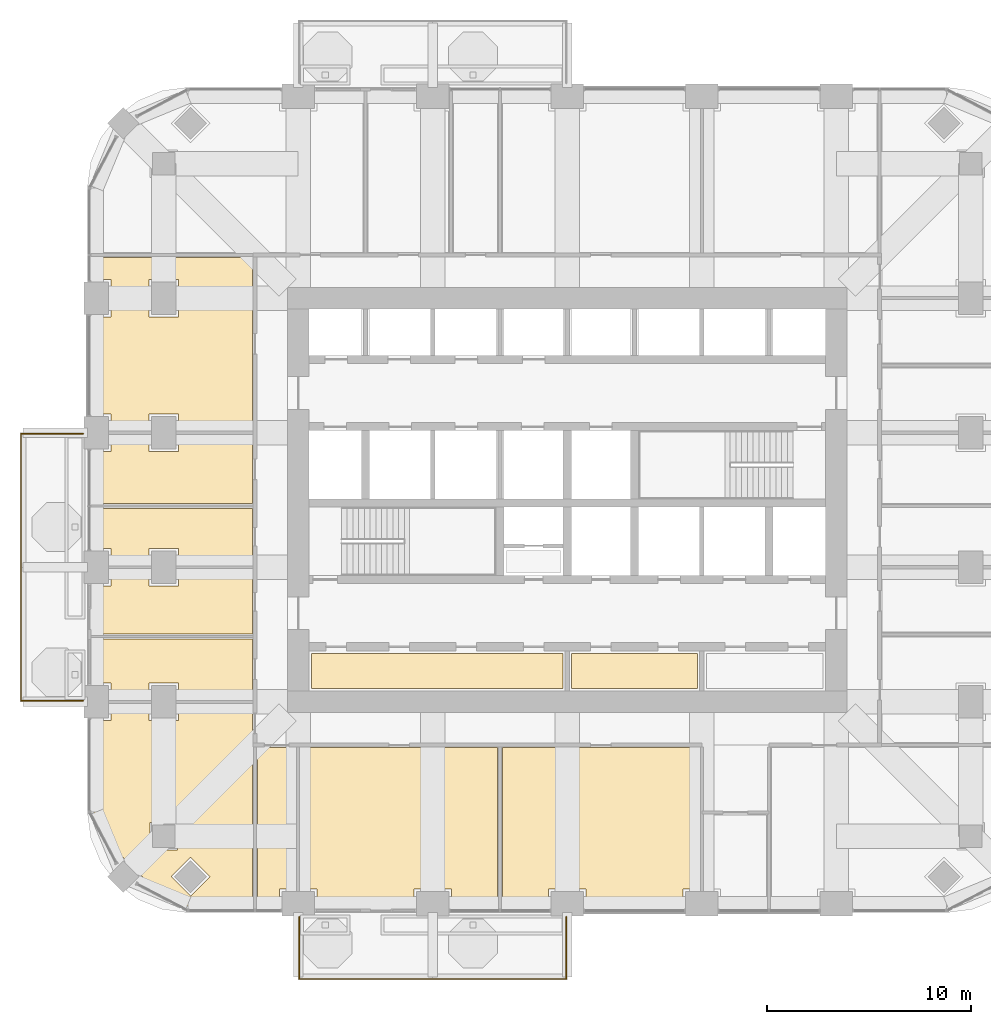
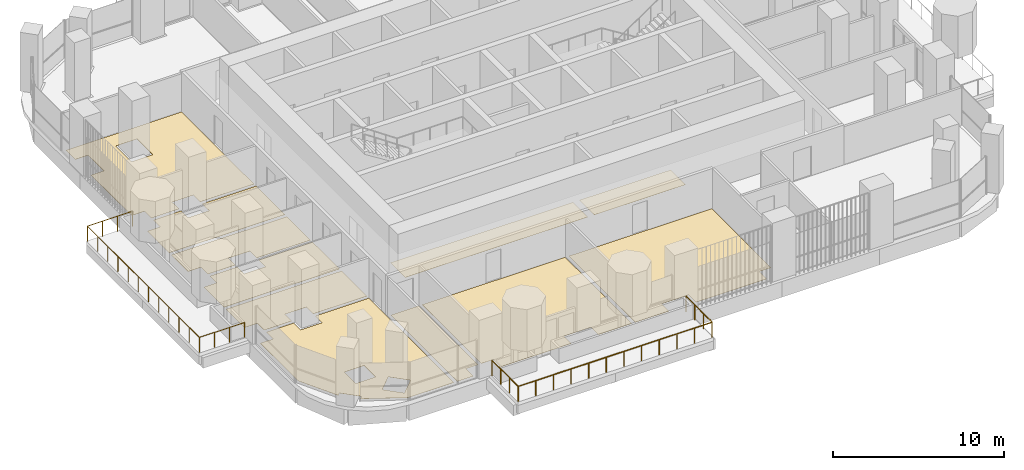
# One storey, part 16 of 20: 11 coverings, 2 railings.
"""IFC4 building model written with IfcOpenShell, lengths in metres."""

from ifc_helpers import new_model, si_unit, direction, frame, origin, place, context, subcontext, project, spatial, polyline, outline, extrude, material, layer, layer_set, type_object, element, save


model = new_model("IFC4")

# Units and contexts
model_context = context("Model", 3, precision=1e-05, world=origin(), true_north=direction((0.0, 1.0)))
body_context = subcontext(model_context, "Body", "Model", "MODEL_VIEW")
ifc_project = project(units=[si_unit("LENGTHUNIT", "METRE"), si_unit("AREAUNIT", "SQUARE_METRE"), si_unit("VOLUMEUNIT", "CUBIC_METRE"), si_unit("PLANEANGLEUNIT", "RADIAN"), si_unit("MASSUNIT", "GRAM", prefix="KILO")], contexts=[model_context])

# Site, building, storey
site_placement = place(None, origin())
site = spatial("IfcSite", under=ifc_project, at=site_placement, CompositionType="ELEMENT")
building_placement = place(site_placement, origin())
building = spatial("IfcBuilding", under=site, at=building_placement, Name="Cobogo Forest Laboratory Tower", CompositionType="ELEMENT")
storey_placement = place(building_placement, frame((0.0, 0.0, 176.699951171875)))
storey = spatial("IfcBuildingStorey", under=building, at=storey_placement, Name="L40", CompositionType="ELEMENT", Elevation=176.699951171875)

# Railings
ifc_material_1 = material(Name="Laminated glass balustrade", Category="glass")
railing_type = type_object("IfcRailingType", Name="BG1 glass balustrade 1100", PredefinedType="GUARDRAIL", material=ifc_material_1)
railing_1_placement = place(storey_placement, frame((13.25, 2.64990234375, 0.0)))
element("IfcRailing", 1, at=railing_1_placement, inside=storey, type_object=railing_type, Name="Balcony balustrade BAL-S1 L40", PredefinedType="GUARDRAIL", context=body_context, shape_type="SweptSolid", body=[
    extrude(outline(polyline([(0.022216796875, 0.00927734375), (0.00927734375, 0.022216796875), (-0.00927734375, 0.022216796875), (-0.022216796875, 0.00927734375), (-0.022216796875, -0.00927734375), (-0.00927734375, -0.022216796875), (0.00927734375, -0.022216796875), (0.022216796875, -0.00927734375), (0.022216796875, 0.00927734375)])), frame((0.0, 0.0, 1.077880859375), z_axis=(0.0, -1.0, 0.0), x_axis=(1.0, 0.0, 0.0)), (0.0, 0.0, 1.0), 3.0498046875),
    extrude(outline(polyline([(0.022216796875, 0.00927734375), (0.00927734375, 0.022216796875), (-0.00927734375, 0.022216796875), (-0.022216796875, 0.00927734375), (-0.022216796875, -0.00927734375), (-0.00927734375, -0.022216796875), (0.00927734375, -0.022216796875), (0.022216796875, -0.00927734375), (0.022216796875, 0.00927734375)])), frame((0.0, -3.0498046875, 1.077880859375), z_axis=(1.0, 0.0, 0.0), x_axis=(0.0, 1.0, 0.0)), (0.0, 0.0, 1.0), 13.10009765625),
    extrude(outline(polyline([(0.022216796875, 0.00927734375), (0.00927734375, 0.022216796875), (-0.00927734375, 0.022216796875), (-0.022216796875, 0.00927734375), (-0.022216796875, -0.00927734375), (-0.00927734375, -0.022216796875), (0.00927734375, -0.022216796875), (0.022216796875, -0.00927734375), (0.022216796875, 0.00927734375)])), frame((13.10009765625, -3.0498046875, 1.077880859375), z_axis=(0.0, 1.0, 0.0), x_axis=(-1.0, 0.0, 0.0)), (0.0, 0.0, 1.0), 3.0498046875),
    extrude(outline(polyline([(0.019287109375, 0.008056640625), (0.008056640625, 0.019287109375), (-0.008056640625, 0.019287109375), (-0.019287109375, 0.008056640625), (-0.019287109375, -0.008056640625), (-0.008056640625, -0.019287109375), (0.008056640625, -0.019287109375), (0.019287109375, -0.008056640625), (0.019287109375, 0.008056640625)])), origin(), (0.0, 0.0, 1.0), 1.077880859375),
    extrude(outline(polyline([(0.019287109375, 0.008056640625), (0.008056640625, 0.019287109375), (-0.008056640625, 0.019287109375), (-0.019287109375, 0.008056640625), (-0.019287109375, -0.008056640625), (-0.008056640625, -0.019287109375), (0.008056640625, -0.019287109375), (0.019287109375, -0.008056640625), (0.019287109375, 0.008056640625)])), frame((0.0, -1.0166015625, 0.0)), (0.0, 0.0, 1.0), 1.077880859375),
    extrude(outline(polyline([(0.019287109375, 0.008056640625), (0.008056640625, 0.019287109375), (-0.008056640625, 0.019287109375), (-0.019287109375, 0.008056640625), (-0.019287109375, -0.008056640625), (-0.008056640625, -0.019287109375), (0.008056640625, -0.019287109375), (0.019287109375, -0.008056640625), (0.019287109375, 0.008056640625)])), frame((0.0, -2.033203125, 0.0)), (0.0, 0.0, 1.0), 1.077880859375),
    extrude(outline(polyline([(0.019287109375, 0.008056640625), (0.008056640625, 0.019287109375), (-0.008056640625, 0.019287109375), (-0.019287109375, 0.008056640625), (-0.019287109375, -0.008056640625), (-0.008056640625, -0.019287109375), (0.008056640625, -0.019287109375), (0.019287109375, -0.008056640625), (0.019287109375, 0.008056640625)])), frame((0.0, -3.0498046875, 0.0)), (0.0, 0.0, 1.0), 1.077880859375),
    extrude(outline(polyline([(0.019287109375, 0.008056640625), (0.008056640625, 0.019287109375), (-0.008056640625, 0.019287109375), (-0.019287109375, 0.008056640625), (-0.019287109375, -0.008056640625), (-0.008056640625, -0.019287109375), (0.008056640625, -0.019287109375), (0.019287109375, -0.008056640625), (0.019287109375, 0.008056640625)])), frame((1.19091796875, -3.0498046875, 0.0)), (0.0, 0.0, 1.0), 1.077880859375),
    extrude(outline(polyline([(0.019287109375, 0.008056640625), (0.008056640625, 0.019287109375), (-0.008056640625, 0.019287109375), (-0.019287109375, 0.008056640625), (-0.019287109375, -0.008056640625), (-0.008056640625, -0.019287109375), (0.008056640625, -0.019287109375), (0.019287109375, -0.008056640625), (0.019287109375, 0.008056640625)])), frame((2.3818359375, -3.0498046875, 0.0)), (0.0, 0.0, 1.0), 1.077880859375),
    extrude(outline(polyline([(0.019287109375, 0.008056640625), (0.008056640625, 0.019287109375), (-0.008056640625, 0.019287109375), (-0.019287109375, 0.008056640625), (-0.019287109375, -0.008056640625), (-0.008056640625, -0.019287109375), (0.008056640625, -0.019287109375), (0.019287109375, -0.008056640625), (0.019287109375, 0.008056640625)])), frame((3.57275390625, -3.0498046875, 0.0)), (0.0, 0.0, 1.0), 1.077880859375),
    extrude(outline(polyline([(0.019287109375, 0.008056640625), (0.008056640625, 0.019287109375), (-0.008056640625, 0.019287109375), (-0.019287109375, 0.008056640625), (-0.019287109375, -0.008056640625), (-0.008056640625, -0.019287109375), (0.008056640625, -0.019287109375), (0.019287109375, -0.008056640625), (0.019287109375, 0.008056640625)])), frame((4.763671875, -3.0498046875, 0.0)), (0.0, 0.0, 1.0), 1.077880859375),
    extrude(outline(polyline([(0.019287109375, 0.008056640625), (0.008056640625, 0.019287109375), (-0.008056640625, 0.019287109375), (-0.019287109375, 0.008056640625), (-0.019287109375, -0.008056640625), (-0.008056640625, -0.019287109375), (0.008056640625, -0.019287109375), (0.019287109375, -0.008056640625), (0.019287109375, 0.008056640625)])), frame((5.95458984375, -3.0498046875, 0.0)), (0.0, 0.0, 1.0), 1.077880859375),
    extrude(outline(polyline([(0.019287109375, 0.008056640625), (0.008056640625, 0.019287109375), (-0.008056640625, 0.019287109375), (-0.019287109375, 0.008056640625), (-0.019287109375, -0.008056640625), (-0.008056640625, -0.019287109375), (0.008056640625, -0.019287109375), (0.019287109375, -0.008056640625), (0.019287109375, 0.008056640625)])), frame((7.1455078125, -3.0498046875, 0.0)), (0.0, 0.0, 1.0), 1.077880859375),
    extrude(outline(polyline([(0.019287109375, 0.008056640625), (0.008056640625, 0.019287109375), (-0.008056640625, 0.019287109375), (-0.019287109375, 0.008056640625), (-0.019287109375, -0.008056640625), (-0.008056640625, -0.019287109375), (0.008056640625, -0.019287109375), (0.019287109375, -0.008056640625), (0.019287109375, 0.008056640625)])), frame((8.33642578125, -3.0498046875, 0.0)), (0.0, 0.0, 1.0), 1.077880859375),
    extrude(outline(polyline([(0.019287109375, 0.008056640625), (0.008056640625, 0.019287109375), (-0.008056640625, 0.019287109375), (-0.019287109375, 0.008056640625), (-0.019287109375, -0.008056640625), (-0.008056640625, -0.019287109375), (0.008056640625, -0.019287109375), (0.019287109375, -0.008056640625), (0.019287109375, 0.008056640625)])), frame((9.52734375, -3.0498046875, 0.0)), (0.0, 0.0, 1.0), 1.077880859375),
    extrude(outline(polyline([(0.019287109375, 0.008056640625), (0.008056640625, 0.019287109375), (-0.008056640625, 0.019287109375), (-0.019287109375, 0.008056640625), (-0.019287109375, -0.008056640625), (-0.008056640625, -0.019287109375), (0.008056640625, -0.019287109375), (0.019287109375, -0.008056640625), (0.019287109375, 0.008056640625)])), frame((10.71826171875, -3.0498046875, 0.0)), (0.0, 0.0, 1.0), 1.077880859375),
    extrude(outline(polyline([(0.019287109375, 0.008056640625), (0.008056640625, 0.019287109375), (-0.008056640625, 0.019287109375), (-0.019287109375, 0.008056640625), (-0.019287109375, -0.008056640625), (-0.008056640625, -0.019287109375), (0.008056640625, -0.019287109375), (0.019287109375, -0.008056640625), (0.019287109375, 0.008056640625)])), frame((11.9091796875, -3.0498046875, 0.0)), (0.0, 0.0, 1.0), 1.077880859375),
    extrude(outline(polyline([(0.019287109375, 0.008056640625), (0.008056640625, 0.019287109375), (-0.008056640625, 0.019287109375), (-0.019287109375, 0.008056640625), (-0.019287109375, -0.008056640625), (-0.008056640625, -0.019287109375), (0.008056640625, -0.019287109375), (0.019287109375, -0.008056640625), (0.019287109375, 0.008056640625)])), frame((13.10009765625, -3.0498046875, 0.0)), (0.0, 0.0, 1.0), 1.077880859375),
    extrude(outline(polyline([(0.019287109375, 0.008056640625), (0.008056640625, 0.019287109375), (-0.008056640625, 0.019287109375), (-0.019287109375, 0.008056640625), (-0.019287109375, -0.008056640625), (-0.008056640625, -0.019287109375), (0.008056640625, -0.019287109375), (0.019287109375, -0.008056640625), (0.019287109375, 0.008056640625)])), frame((13.10009765625, -2.033203125, 0.0)), (0.0, 0.0, 1.0), 1.077880859375),
    extrude(outline(polyline([(0.019287109375, 0.008056640625), (0.008056640625, 0.019287109375), (-0.008056640625, 0.019287109375), (-0.019287109375, 0.008056640625), (-0.019287109375, -0.008056640625), (-0.008056640625, -0.019287109375), (0.008056640625, -0.019287109375), (0.019287109375, -0.008056640625), (0.019287109375, 0.008056640625)])), frame((13.10009765625, -1.0166015625, 0.0)), (0.0, 0.0, 1.0), 1.077880859375),
    extrude(outline(polyline([(0.019287109375, 0.008056640625), (0.008056640625, 0.019287109375), (-0.008056640625, 0.019287109375), (-0.019287109375, 0.008056640625), (-0.019287109375, -0.008056640625), (-0.008056640625, -0.019287109375), (0.008056640625, -0.019287109375), (0.019287109375, -0.008056640625), (0.019287109375, 0.008056640625)])), frame((13.10009765625, 0.0, 0.0)), (0.0, 0.0, 1.0), 1.077880859375),
])
railing_2_placement = place(storey_placement, frame((2.64990234375, 13.25, 0.0)))
element("IfcRailing", 2, at=railing_2_placement, inside=storey, type_object=railing_type, Name="Balcony balustrade BAL-W1 L40", PredefinedType="GUARDRAIL", context=body_context, shape_type="SweptSolid", body=[
    extrude(outline(polyline([(0.022216796875, 0.00927734375), (0.00927734375, 0.022216796875), (-0.00927734375, 0.022216796875), (-0.022216796875, 0.00927734375), (-0.022216796875, -0.00927734375), (-0.00927734375, -0.022216796875), (0.00927734375, -0.022216796875), (0.022216796875, -0.00927734375), (0.022216796875, 0.00927734375)])), frame((0.0, 0.0, 1.077880859375), z_axis=(-1.0, 0.0, 0.0), x_axis=(0.0, -1.0, 0.0)), (0.0, 0.0, 1.0), 3.0498046875),
    extrude(outline(polyline([(0.022216796875, 0.00927734375), (0.00927734375, 0.022216796875), (-0.00927734375, 0.022216796875), (-0.022216796875, 0.00927734375), (-0.022216796875, -0.00927734375), (-0.00927734375, -0.022216796875), (0.00927734375, -0.022216796875), (0.022216796875, -0.00927734375), (0.022216796875, 0.00927734375)])), frame((-3.0498046875, 0.0, 1.077880859375), z_axis=(0.0, 1.0, 0.0), x_axis=(-1.0, 0.0, 0.0)), (0.0, 0.0, 1.0), 13.10009765625),
    extrude(outline(polyline([(0.022216796875, 0.00927734375), (0.00927734375, 0.022216796875), (-0.00927734375, 0.022216796875), (-0.022216796875, 0.00927734375), (-0.022216796875, -0.00927734375), (-0.00927734375, -0.022216796875), (0.00927734375, -0.022216796875), (0.022216796875, -0.00927734375), (0.022216796875, 0.00927734375)])), frame((-3.0498046875, 13.10009765625, 1.077880859375), z_axis=(1.0, 0.0, 0.0), x_axis=(0.0, 1.0, 0.0)), (0.0, 0.0, 1.0), 3.0498046875),
    extrude(outline(polyline([(0.019287109375, 0.008056640625), (0.008056640625, 0.019287109375), (-0.008056640625, 0.019287109375), (-0.019287109375, 0.008056640625), (-0.019287109375, -0.008056640625), (-0.008056640625, -0.019287109375), (0.008056640625, -0.019287109375), (0.019287109375, -0.008056640625), (0.019287109375, 0.008056640625)])), origin(), (0.0, 0.0, 1.0), 1.077880859375),
    extrude(outline(polyline([(0.019287109375, 0.008056640625), (0.008056640625, 0.019287109375), (-0.008056640625, 0.019287109375), (-0.019287109375, 0.008056640625), (-0.019287109375, -0.008056640625), (-0.008056640625, -0.019287109375), (0.008056640625, -0.019287109375), (0.019287109375, -0.008056640625), (0.019287109375, 0.008056640625)])), frame((-1.0166015625, 0.0, 0.0)), (0.0, 0.0, 1.0), 1.077880859375),
    extrude(outline(polyline([(0.019287109375, 0.008056640625), (0.008056640625, 0.019287109375), (-0.008056640625, 0.019287109375), (-0.019287109375, 0.008056640625), (-0.019287109375, -0.008056640625), (-0.008056640625, -0.019287109375), (0.008056640625, -0.019287109375), (0.019287109375, -0.008056640625), (0.019287109375, 0.008056640625)])), frame((-2.033203125, 0.0, 0.0)), (0.0, 0.0, 1.0), 1.077880859375),
    extrude(outline(polyline([(0.019287109375, 0.008056640625), (0.008056640625, 0.019287109375), (-0.008056640625, 0.019287109375), (-0.019287109375, 0.008056640625), (-0.019287109375, -0.008056640625), (-0.008056640625, -0.019287109375), (0.008056640625, -0.019287109375), (0.019287109375, -0.008056640625), (0.019287109375, 0.008056640625)])), frame((-3.0498046875, 0.0, 0.0)), (0.0, 0.0, 1.0), 1.077880859375),
    extrude(outline(polyline([(0.019287109375, 0.008056640625), (0.008056640625, 0.019287109375), (-0.008056640625, 0.019287109375), (-0.019287109375, 0.008056640625), (-0.019287109375, -0.008056640625), (-0.008056640625, -0.019287109375), (0.008056640625, -0.019287109375), (0.019287109375, -0.008056640625), (0.019287109375, 0.008056640625)])), frame((-3.0498046875, 1.19091796875, 0.0)), (0.0, 0.0, 1.0), 1.077880859375),
    extrude(outline(polyline([(0.019287109375, 0.008056640625), (0.008056640625, 0.019287109375), (-0.008056640625, 0.019287109375), (-0.019287109375, 0.008056640625), (-0.019287109375, -0.008056640625), (-0.008056640625, -0.019287109375), (0.008056640625, -0.019287109375), (0.019287109375, -0.008056640625), (0.019287109375, 0.008056640625)])), frame((-3.0498046875, 2.3818359375, 0.0)), (0.0, 0.0, 1.0), 1.077880859375),
    extrude(outline(polyline([(0.019287109375, 0.008056640625), (0.008056640625, 0.019287109375), (-0.008056640625, 0.019287109375), (-0.019287109375, 0.008056640625), (-0.019287109375, -0.008056640625), (-0.008056640625, -0.019287109375), (0.008056640625, -0.019287109375), (0.019287109375, -0.008056640625), (0.019287109375, 0.008056640625)])), frame((-3.0498046875, 3.57275390625, 0.0)), (0.0, 0.0, 1.0), 1.077880859375),
    extrude(outline(polyline([(0.019287109375, 0.008056640625), (0.008056640625, 0.019287109375), (-0.008056640625, 0.019287109375), (-0.019287109375, 0.008056640625), (-0.019287109375, -0.008056640625), (-0.008056640625, -0.019287109375), (0.008056640625, -0.019287109375), (0.019287109375, -0.008056640625), (0.019287109375, 0.008056640625)])), frame((-3.0498046875, 4.763671875, 0.0)), (0.0, 0.0, 1.0), 1.077880859375),
    extrude(outline(polyline([(0.019287109375, 0.008056640625), (0.008056640625, 0.019287109375), (-0.008056640625, 0.019287109375), (-0.019287109375, 0.008056640625), (-0.019287109375, -0.008056640625), (-0.008056640625, -0.019287109375), (0.008056640625, -0.019287109375), (0.019287109375, -0.008056640625), (0.019287109375, 0.008056640625)])), frame((-3.0498046875, 5.95458984375, 0.0)), (0.0, 0.0, 1.0), 1.077880859375),
    extrude(outline(polyline([(0.019287109375, 0.008056640625), (0.008056640625, 0.019287109375), (-0.008056640625, 0.019287109375), (-0.019287109375, 0.008056640625), (-0.019287109375, -0.008056640625), (-0.008056640625, -0.019287109375), (0.008056640625, -0.019287109375), (0.019287109375, -0.008056640625), (0.019287109375, 0.008056640625)])), frame((-3.0498046875, 7.1455078125, 0.0)), (0.0, 0.0, 1.0), 1.077880859375),
    extrude(outline(polyline([(0.019287109375, 0.008056640625), (0.008056640625, 0.019287109375), (-0.008056640625, 0.019287109375), (-0.019287109375, 0.008056640625), (-0.019287109375, -0.008056640625), (-0.008056640625, -0.019287109375), (0.008056640625, -0.019287109375), (0.019287109375, -0.008056640625), (0.019287109375, 0.008056640625)])), frame((-3.0498046875, 8.33642578125, 0.0)), (0.0, 0.0, 1.0), 1.077880859375),
    extrude(outline(polyline([(0.019287109375, 0.008056640625), (0.008056640625, 0.019287109375), (-0.008056640625, 0.019287109375), (-0.019287109375, 0.008056640625), (-0.019287109375, -0.008056640625), (-0.008056640625, -0.019287109375), (0.008056640625, -0.019287109375), (0.019287109375, -0.008056640625), (0.019287109375, 0.008056640625)])), frame((-3.0498046875, 9.52734375, 0.0)), (0.0, 0.0, 1.0), 1.077880859375),
    extrude(outline(polyline([(0.019287109375, 0.008056640625), (0.008056640625, 0.019287109375), (-0.008056640625, 0.019287109375), (-0.019287109375, 0.008056640625), (-0.019287109375, -0.008056640625), (-0.008056640625, -0.019287109375), (0.008056640625, -0.019287109375), (0.019287109375, -0.008056640625), (0.019287109375, 0.008056640625)])), frame((-3.0498046875, 10.71826171875, 0.0)), (0.0, 0.0, 1.0), 1.077880859375),
    extrude(outline(polyline([(0.019287109375, 0.008056640625), (0.008056640625, 0.019287109375), (-0.008056640625, 0.019287109375), (-0.019287109375, 0.008056640625), (-0.019287109375, -0.008056640625), (-0.008056640625, -0.019287109375), (0.008056640625, -0.019287109375), (0.019287109375, -0.008056640625), (0.019287109375, 0.008056640625)])), frame((-3.0498046875, 11.9091796875, 0.0)), (0.0, 0.0, 1.0), 1.077880859375),
    extrude(outline(polyline([(0.019287109375, 0.008056640625), (0.008056640625, 0.019287109375), (-0.008056640625, 0.019287109375), (-0.019287109375, 0.008056640625), (-0.019287109375, -0.008056640625), (-0.008056640625, -0.019287109375), (0.008056640625, -0.019287109375), (0.019287109375, -0.008056640625), (0.019287109375, 0.008056640625)])), frame((-3.0498046875, 13.10009765625, 0.0)), (0.0, 0.0, 1.0), 1.077880859375),
    extrude(outline(polyline([(0.019287109375, 0.008056640625), (0.008056640625, 0.019287109375), (-0.008056640625, 0.019287109375), (-0.019287109375, 0.008056640625), (-0.019287109375, -0.008056640625), (-0.008056640625, -0.019287109375), (0.008056640625, -0.019287109375), (0.019287109375, -0.008056640625), (0.019287109375, 0.008056640625)])), frame((-2.033203125, 13.10009765625, 0.0)), (0.0, 0.0, 1.0), 1.077880859375),
    extrude(outline(polyline([(0.019287109375, 0.008056640625), (0.008056640625, 0.019287109375), (-0.008056640625, 0.019287109375), (-0.019287109375, 0.008056640625), (-0.019287109375, -0.008056640625), (-0.008056640625, -0.019287109375), (0.008056640625, -0.019287109375), (0.019287109375, -0.008056640625), (0.019287109375, 0.008056640625)])), frame((-1.0166015625, 13.10009765625, 0.0)), (0.0, 0.0, 1.0), 1.077880859375),
    extrude(outline(polyline([(0.019287109375, 0.008056640625), (0.008056640625, 0.019287109375), (-0.008056640625, 0.019287109375), (-0.019287109375, 0.008056640625), (-0.019287109375, -0.008056640625), (-0.008056640625, -0.019287109375), (0.008056640625, -0.019287109375), (0.019287109375, -0.008056640625), (0.019287109375, 0.008056640625)])), frame((0.0, 13.10009765625, 0.0)), (0.0, 0.0, 1.0), 1.077880859375),
])

# Coverings
ifc_material_2 = material(Name="Carpet tile on raised access floor", Category="flooring")
ifc_layer_1 = layer(ifc_material_2, 0.008056640625)
ifc_layer_set_1 = layer_set([ifc_layer_1], Name="CT1 carpet tile floor 8")
covering_type_1 = type_object("IfcCoveringType", Name="CT1 carpet tile floor 8", PredefinedType="FLOORING", material=ifc_layer_set_1)
covering_1_placement = place(storey_placement, origin())
element("IfcCovering", 3, at=covering_1_placement, inside=storey, type_object=covering_type_1, Name="Carpet floor L40-02", PredefinedType="FLOORING", context=body_context, shape_type="SweptSolid", body=[
    extrude(outline(polyline([(22.97998046875, 10.955078125), (22.97998046875, 3.14990234375), (20.719970703125, 3.14990234375), (20.719970703125, 4.02001953125), (18.8798828125, 4.02001953125), (18.8798828125, 3.14990234375), (14.1201171875, 3.14990234375), (14.1201171875, 4.02001953125), (13.320068359375, 4.02001953125), (13.320068359375, 10.955078125), (22.97998046875, 10.955078125)])), origin(), (0.0, 0.0, 1.0), 0.008056640625),
])
covering_2_placement = place(storey_placement, origin())
element("IfcCovering", 4, at=covering_2_placement, inside=storey, type_object=covering_type_1, Name="Carpet floor L40-03", PredefinedType="FLOORING", context=body_context, shape_type="SweptSolid", body=[
    extrude(outline(polyline([(32.8798828125, 10.955078125), (32.8798828125, 4.02001953125), (32.080078125, 4.02001953125), (32.080078125, 3.14990234375), (27.320068359375, 3.14990234375), (27.320068359375, 4.02001953125), (25.47998046875, 4.02001953125), (25.47998046875, 3.14990234375), (23.219970703125, 3.14990234375), (23.219970703125, 10.955078125), (32.8798828125, 10.955078125)])), origin(), (0.0, 0.0, 1.0), 0.008056640625),
])
covering_3_placement = place(storey_placement, origin())
element("IfcCovering", 5, at=covering_3_placement, inside=storey, type_object=covering_type_1, Name="Carpet floor L40-18", PredefinedType="FLOORING", context=body_context, shape_type="SweptSolid", body=[
    extrude(outline(polyline([(10.955078125, 3.14990234375), (7.84912109375, 3.14990234375), (5.387939453125, 4.440185546875), (5.5654296875, 4.617919921875), (4.617919921875, 5.5654296875), (4.440185546875, 5.387939453125), (3.14990234375, 7.84912109375), (3.14990234375, 12.280029296875), (4.02001953125, 12.280029296875), (4.02001953125, 13.080078125), (5.8798828125, 13.080078125), (5.8798828125, 12.280029296875), (7.320068359375, 12.280029296875), (7.320068359375, 13.080078125), (10.955078125, 13.080078125), (10.955078125, 3.14990234375)]), holes=[polyline([(7.91796875, 3.67041015625), (8.865478515625, 4.617919921875), (7.91796875, 5.5654296875), (6.970458984375, 4.617919921875), (7.91796875, 3.67041015625)]), polyline([(5.929931640625, 5.929931640625), (7.27001953125, 5.929931640625), (7.27001953125, 7.27001953125), (5.929931640625, 7.27001953125), (5.929931640625, 5.929931640625)])]), origin(), (0.0, 0.0, 1.0), 0.008056640625),
])
covering_4_placement = place(storey_placement, origin())
element("IfcCovering", 6, at=covering_4_placement, inside=storey, type_object=covering_type_1, Name="Carpet floor L40-23", PredefinedType="FLOORING", context=body_context, shape_type="SweptSolid", body=[
    extrude(outline(polyline([(10.955078125, 26.52001953125), (7.320068359375, 26.52001953125), (7.320068359375, 27.320068359375), (5.8798828125, 27.320068359375), (5.8798828125, 26.52001953125), (4.02001953125, 26.52001953125), (4.02001953125, 27.320068359375), (3.14990234375, 27.320068359375), (3.14990234375, 32.080078125), (4.02001953125, 32.080078125), (4.02001953125, 33.919921875), (3.14990234375, 33.919921875), (3.14990234375, 35.0048828125), (10.955078125, 35.0048828125), (10.955078125, 26.52001953125)]), holes=[polyline([(5.8798828125, 32.080078125), (7.320068359375, 32.080078125), (7.320068359375, 33.919921875), (5.8798828125, 33.919921875), (5.8798828125, 32.080078125)])]), origin(), (0.0, 0.0, 1.0), 0.008056640625),
])
covering_5_placement = place(storey_placement, origin())
element("IfcCovering", 7, at=covering_5_placement, inside=storey, type_object=covering_type_1, Name="Carpet floor L40-32", PredefinedType="FLOORING", context=body_context, shape_type="SweptSolid", body=[
    extrude(outline(polyline([(26.179931640625, 13.844970703125), (13.844970703125, 13.844970703125), (13.844970703125, 15.580078125), (26.179931640625, 15.580078125), (26.179931640625, 13.844970703125)])), origin(), (0.0, 0.0, 1.0), 0.008056640625),
])
covering_6_placement = place(storey_placement, origin())
element("IfcCovering", 8, at=covering_6_placement, inside=storey, type_object=covering_type_1, Name="Carpet floor L40-33", PredefinedType="FLOORING", context=body_context, shape_type="SweptSolid", body=[
    extrude(outline(polyline([(32.780029296875, 13.844970703125), (26.6201171875, 13.844970703125), (26.6201171875, 15.580078125), (32.780029296875, 15.580078125), (32.780029296875, 13.844970703125)])), origin(), (0.0, 0.0, 1.0), 0.008056640625),
])
ifc_material_3 = material(Name="Static-dissipative vinyl flooring", Category="flooring")
ifc_layer_2 = layer(ifc_material_3, 0.0029296875)
ifc_layer_set_2 = layer_set([ifc_layer_2], Name="SD1 static-dissipative vinyl floor 3")
covering_type_2 = type_object("IfcCoveringType", Name="SD1 static-dissipative vinyl floor 3", PredefinedType="FLOORING", material=ifc_layer_set_2)
covering_7_placement = place(storey_placement, origin())
element("IfcCovering", 9, at=covering_7_placement, inside=storey, type_object=covering_type_2, Name="Static-dissipative floor L40-01", PredefinedType="FLOORING", context=body_context, shape_type="SweptSolid", body=[
    extrude(outline(polyline([(13.080078125, 10.955078125), (13.080078125, 4.02001953125), (12.280029296875, 4.02001953125), (12.280029296875, 3.14990234375), (11.195068359375, 3.14990234375), (11.195068359375, 10.955078125), (13.080078125, 10.955078125)])), origin(), (0.0, 0.0, 1.0), 0.0029296875),
])
ifc_material_4 = material(Name="Ceramic floor tile", Category="flooring")
ifc_layer_3 = layer(ifc_material_4, 0.010009765625)
ifc_layer_set_3 = layer_set([ifc_layer_3], Name="TF1 ceramic tile floor 10")
covering_type_3 = type_object("IfcCoveringType", Name="TF1 ceramic tile floor 10", PredefinedType="FLOORING", material=ifc_layer_set_3)
covering_8_placement = place(storey_placement, origin())
element("IfcCovering", 10, at=covering_8_placement, inside=storey, type_object=covering_type_3, Name="Tile floor L40-19", PredefinedType="FLOORING", context=body_context, shape_type="SweptSolid", body=[
    extrude(outline(polyline([(10.955078125, 13.320068359375), (7.320068359375, 13.320068359375), (7.320068359375, 14.1201171875), (5.8798828125, 14.1201171875), (5.8798828125, 13.320068359375), (4.02001953125, 13.320068359375), (4.02001953125, 14.1201171875), (3.14990234375, 14.1201171875), (3.14990234375, 16.280029296875), (10.955078125, 16.280029296875), (10.955078125, 13.320068359375)])), origin(), (0.0, 0.0, 1.0), 0.010009765625),
])
covering_9_placement = place(storey_placement, origin())
element("IfcCovering", 11, at=covering_9_placement, inside=storey, type_object=covering_type_3, Name="Tile floor L40-20", PredefinedType="FLOORING", context=body_context, shape_type="SweptSolid", body=[
    extrude(outline(polyline([(10.955078125, 16.52001953125), (3.14990234375, 16.52001953125), (3.14990234375, 18.8798828125), (4.02001953125, 18.8798828125), (4.02001953125, 19.679931640625), (5.8798828125, 19.679931640625), (5.8798828125, 18.8798828125), (7.320068359375, 18.8798828125), (7.320068359375, 19.679931640625), (10.955078125, 19.679931640625), (10.955078125, 16.52001953125)])), origin(), (0.0, 0.0, 1.0), 0.010009765625),
])
covering_10_placement = place(storey_placement, origin())
element("IfcCovering", 12, at=covering_10_placement, inside=storey, type_object=covering_type_3, Name="Tile floor L40-21", PredefinedType="FLOORING", context=body_context, shape_type="SweptSolid", body=[
    extrude(outline(polyline([(10.955078125, 19.919921875), (7.320068359375, 19.919921875), (7.320068359375, 20.719970703125), (5.8798828125, 20.719970703125), (5.8798828125, 19.919921875), (4.02001953125, 19.919921875), (4.02001953125, 20.719970703125), (3.14990234375, 20.719970703125), (3.14990234375, 22.679931640625), (10.955078125, 22.679931640625), (10.955078125, 19.919921875)])), origin(), (0.0, 0.0, 1.0), 0.010009765625),
])
covering_11_placement = place(storey_placement, origin())
element("IfcCovering", 13, at=covering_11_placement, inside=storey, type_object=covering_type_3, Name="Tile floor L40-22", PredefinedType="FLOORING", context=body_context, shape_type="SweptSolid", body=[
    extrude(outline(polyline([(10.955078125, 22.919921875), (3.14990234375, 22.919921875), (3.14990234375, 25.47998046875), (4.02001953125, 25.47998046875), (4.02001953125, 26.280029296875), (5.8798828125, 26.280029296875), (5.8798828125, 25.47998046875), (7.320068359375, 25.47998046875), (7.320068359375, 26.280029296875), (10.955078125, 26.280029296875), (10.955078125, 22.919921875)])), origin(), (0.0, 0.0, 1.0), 0.010009765625),
])

save(model, "model.ifc")
